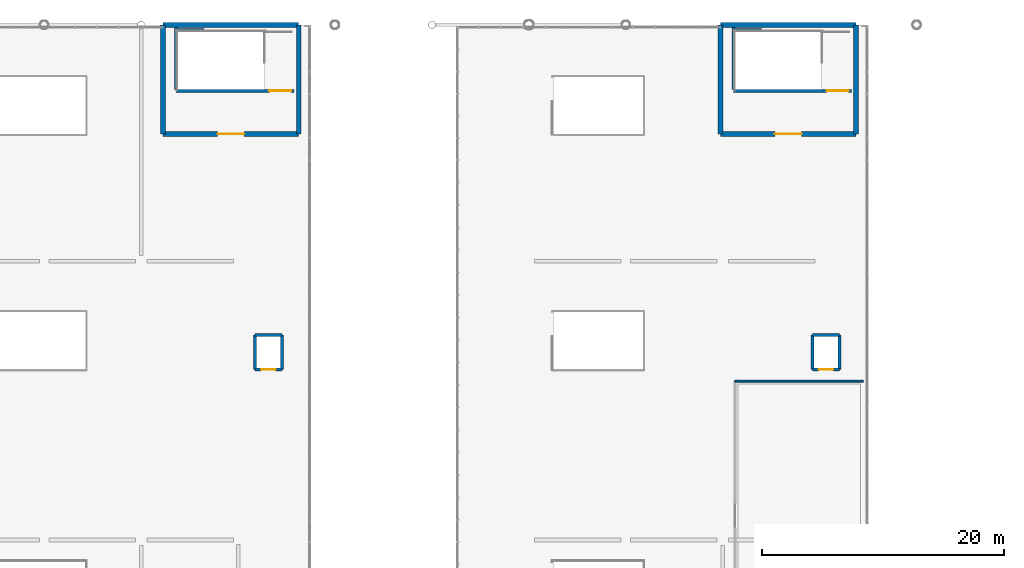
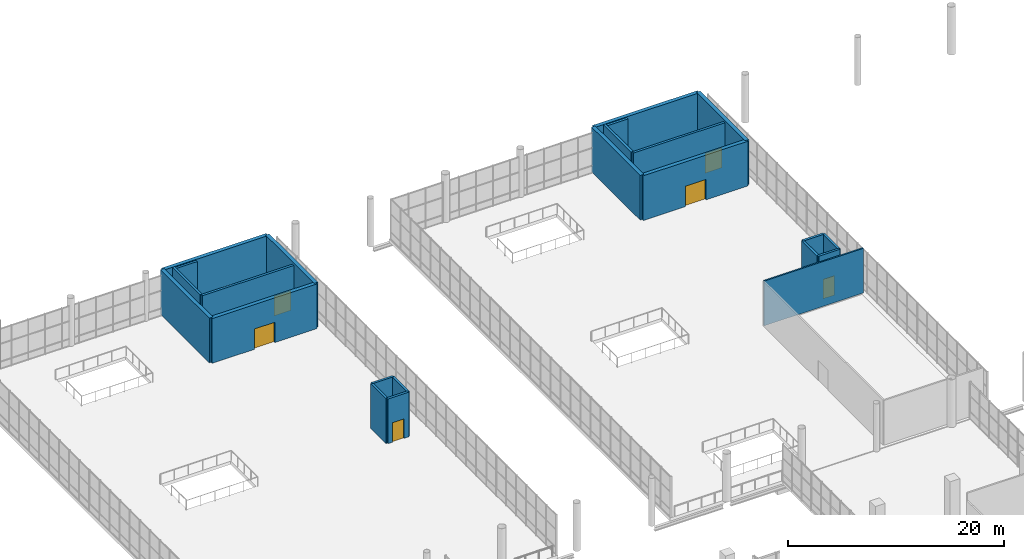
# One storey, part 149 of 176: 23 walls, 6 doors, 6 openings.
"""IFC4 building model written with IfcOpenShell, lengths in metres."""

from ifc_helpers import new_model, si_unit, direction, frame, frame_2d, origin, place, context, subcontext, project, spatial, rectangle, extrude, material, layer, layer_set, type_object, element, fill, save


model = new_model("IFC4")

# Units and contexts
model_context = context("Model", 3, precision=1e-05, world=origin(), true_north=direction((0.0, 1.0)))
body_context = subcontext(model_context, "Body", "Model", "MODEL_VIEW")
ifc_project = project(units=[si_unit("LENGTHUNIT", "METRE"), si_unit("AREAUNIT", "SQUARE_METRE"), si_unit("VOLUMEUNIT", "CUBIC_METRE"), si_unit("PLANEANGLEUNIT", "RADIAN"), si_unit("MASSUNIT", "GRAM", prefix="KILO")], contexts=[model_context])

# Site, building, storey
site_placement = place(None, origin())
site = spatial("IfcSite", under=ifc_project, at=site_placement, CompositionType="ELEMENT")
building_placement = place(site_placement, origin())
building = spatial("IfcBuilding", under=site, at=building_placement, Name="Khorjan Park Terminus", CompositionType="ELEMENT")
storey_placement = place(building_placement, frame((0.0, 0.0, 6.0)))
storey = spatial("IfcBuildingStorey", under=building, at=storey_placement, Name="L01", CompositionType="ELEMENT", Elevation=6.0)

# Walls
ifc_material_1 = material(Name="Concrete C50/60", Category="concrete")
ifc_layer_1 = layer(ifc_material_1, 0.4)
ifc_layer_set_1 = layer_set([ifc_layer_1], Name="Concrete C50/60")
wall_type_1 = type_object("IfcWallType", Name="CW-40", PredefinedType="SHEAR", material=ifc_layer_set_1)
wall_1_placement = place(storey_placement, frame((85.0, 154.0, 0.0), z_axis=(0.0, 0.0, 1.0), x_axis=(-1.0, 0.0, 0.0)))
element("IfcWall", 1, at=wall_1_placement, inside=storey, type_object=wall_type_1, Name="West Transfer Bridge Exit Core concrete shear wall CW-40 (L01-E1)", PredefinedType="SHEAR", context=body_context, shape_type="SweptSolid", body=[
    extrude(rectangle(XDim=11.2, YDim=0.4, at=frame_2d((5.6, 0.0))), origin(), (0.0, 0.0, 1.0), 5.05),
])
wall_2_placement = place(storey_placement, frame((73.8, 154.0, 0.0), z_axis=(0.0, 0.0, 1.0), x_axis=(0.0, -1.0, 0.0)))
element("IfcWall", 2, at=wall_2_placement, inside=storey, type_object=wall_type_1, Name="West Transfer Bridge Exit Core concrete shear wall CW-40 (L01-E2)", PredefinedType="SHEAR", context=body_context, shape_type="SweptSolid", body=[
    extrude(rectangle(XDim=9.0, YDim=0.4, at=frame_2d((4.5, 0.0))), origin(), (0.0, 0.0, 1.0), 5.05),
])

# Wall, opening, door
wall_3_placement = place(storey_placement, frame((73.8, 145.0, 0.0), z_axis=(0.0, 0.0, 1.0), x_axis=(1.0, 0.0, 0.0)))
wall_3 = element("IfcWall", 3, at=wall_3_placement, inside=storey, type_object=wall_type_1, Name="West Transfer Bridge Exit Core concrete shear wall CW-40 (L01-E3)", PredefinedType="SHEAR", context=body_context, shape_type="SweptSolid", body=[
    extrude(rectangle(XDim=11.2, YDim=0.4, at=frame_2d((5.6, 0.0))), origin(), (0.0, 0.0, 1.0), 5.05),
])
opening_1_placement = place(wall_3_placement, frame((4.5, 0.0, 0.0)))
opening_1 = element("IfcOpeningElement", 4, at=opening_1_placement, cuts=wall_3, Name="Opening FD-22", PredefinedType="OPENING", context=body_context, shape_type="SweptSolid", body=[
    extrude(rectangle(XDim=2.2, YDim=2.3, at=frame_2d((1.1, 1.15))), frame((0.0, 0.21, 0.0), z_axis=(0.0, -1.0, 0.0), x_axis=(1.0, 0.0, 0.0)), (0.0, 0.0, 1.0), 0.42),
])
ifc_material_2 = material(Name="Fire-Rated Steel Double Door", Category="steel")
door_type_1 = type_object("IfcDoorType", Name="FD-22", OperationType="NOTDEFINED", PredefinedType="DOOR", material=ifc_material_2)
door_1_placement = place(opening_1_placement, origin())
door_1 = element("IfcDoor", 5, at=door_1_placement, inside=storey, type_object=door_type_1, Name="West Transfer Bridge Exit Core fire-rated exit door FD-22 (L01)", OperationType="DOUBLE_DOOR_SINGLE_SWING", OverallHeight=2.3, OverallWidth=2.2, PredefinedType="DOOR", context=body_context, shape_type="SweptSolid", body=[
    extrude(rectangle(XDim=2.2, YDim=2.3, at=frame_2d((1.1, 1.15))), frame((0.0, 0.025, 0.0), z_axis=(0.0, -1.0, 0.0), x_axis=(1.0, 0.0, 0.0)), (0.0, 0.0, 1.0), 0.05),
])
fill(opening_1, door_1)

# Walls
wall_4_placement = place(storey_placement, frame((85.0, 145.0, 0.0), z_axis=(0.0, 0.0, 1.0), x_axis=(0.0, 1.0, 0.0)))
element("IfcWall", 6, at=wall_4_placement, inside=storey, type_object=wall_type_1, Name="West Transfer Bridge Exit Core concrete shear wall CW-40 (L01-E4)", PredefinedType="SHEAR", context=body_context, shape_type="SweptSolid", body=[
    extrude(rectangle(XDim=9.0, YDim=0.4, at=frame_2d((4.5, 0.0))), origin(), (0.0, 0.0, 1.0), 5.05),
])
wall_5_placement = place(storey_placement, frame((131.0, 154.0, 0.0), z_axis=(0.0, 0.0, 1.0), x_axis=(-1.0, 0.0, 0.0)))
element("IfcWall", 7, at=wall_5_placement, inside=storey, type_object=wall_type_1, Name="East Transfer Bridge Exit Core concrete shear wall CW-40 (L01-E1)", PredefinedType="SHEAR", context=body_context, shape_type="SweptSolid", body=[
    extrude(rectangle(XDim=11.2, YDim=0.4, at=frame_2d((5.6, 0.0))), origin(), (0.0, 0.0, 1.0), 5.05),
])
wall_6_placement = place(storey_placement, frame((119.8, 154.0, 0.0), z_axis=(0.0, 0.0, 1.0), x_axis=(0.0, -1.0, 0.0)))
element("IfcWall", 8, at=wall_6_placement, inside=storey, type_object=wall_type_1, Name="East Transfer Bridge Exit Core concrete shear wall CW-40 (L01-E2)", PredefinedType="SHEAR", context=body_context, shape_type="SweptSolid", body=[
    extrude(rectangle(XDim=9.0, YDim=0.4, at=frame_2d((4.5, 0.0))), origin(), (0.0, 0.0, 1.0), 5.05),
])

# Wall, opening, door
wall_7_placement = place(storey_placement, frame((119.8, 145.0, 0.0), z_axis=(0.0, 0.0, 1.0), x_axis=(1.0, 0.0, 0.0)))
wall_7 = element("IfcWall", 9, at=wall_7_placement, inside=storey, type_object=wall_type_1, Name="East Transfer Bridge Exit Core concrete shear wall CW-40 (L01-E3)", PredefinedType="SHEAR", context=body_context, shape_type="SweptSolid", body=[
    extrude(rectangle(XDim=11.2, YDim=0.4, at=frame_2d((5.6, 0.0))), origin(), (0.0, 0.0, 1.0), 5.05),
])
opening_2_placement = place(wall_7_placement, frame((4.5, 0.0, 0.0)))
opening_2 = element("IfcOpeningElement", 10, at=opening_2_placement, cuts=wall_7, Name="Opening FD-22", PredefinedType="OPENING", context=body_context, shape_type="SweptSolid", body=[
    extrude(rectangle(XDim=2.2, YDim=2.3, at=frame_2d((1.1, 1.15))), frame((0.0, 0.21, 0.0), z_axis=(0.0, -1.0, 0.0), x_axis=(1.0, 0.0, 0.0)), (0.0, 0.0, 1.0), 0.42),
])
door_2_placement = place(opening_2_placement, origin())
door_2 = element("IfcDoor", 11, at=door_2_placement, inside=storey, type_object=door_type_1, Name="East Transfer Bridge Exit Core fire-rated exit door FD-22 (L01)", OperationType="DOUBLE_DOOR_SINGLE_SWING", OverallHeight=2.3, OverallWidth=2.2, PredefinedType="DOOR", context=body_context, shape_type="SweptSolid", body=[
    extrude(rectangle(XDim=2.2, YDim=2.3, at=frame_2d((1.1, 1.15))), frame((0.0, 0.025, 0.0), z_axis=(0.0, -1.0, 0.0), x_axis=(1.0, 0.0, 0.0)), (0.0, 0.0, 1.0), 0.05),
])
fill(opening_2, door_2)

# Walls
wall_8_placement = place(storey_placement, frame((131.0, 145.0, 0.0), z_axis=(0.0, 0.0, 1.0), x_axis=(0.0, 1.0, 0.0)))
element("IfcWall", 12, at=wall_8_placement, inside=storey, type_object=wall_type_1, Name="East Transfer Bridge Exit Core concrete shear wall CW-40 (L01-E4)", PredefinedType="SHEAR", context=body_context, shape_type="SweptSolid", body=[
    extrude(rectangle(XDim=9.0, YDim=0.4, at=frame_2d((4.5, 0.0))), origin(), (0.0, 0.0, 1.0), 5.05),
])
ifc_material_3 = material(Name="Insulated Metal-Stud Acoustic Partition")
ifc_layer_2 = layer(ifc_material_3, 0.16)
ifc_layer_set_2 = layer_set([ifc_layer_2], Name="Insulated Metal-Stud Acoustic Partition")
wall_type_2 = type_object("IfcWallType", Name="PT-16", PredefinedType="PARTITIONING", material=ifc_layer_set_2)
wall_9_placement = place(storey_placement, frame((121.0, 124.6, 0.0), z_axis=(0.0, 0.0, 1.0), x_axis=(1.0, 0.0, 0.0)))
element("IfcWall", 13, at=wall_9_placement, inside=storey, type_object=wall_type_2, Name="Interior acoustic partition PT-16 (L01-GTL)", PredefinedType="PARTITIONING", context=body_context, shape_type="SweptSolid", body=[
    extrude(rectangle(XDim=10.6, YDim=0.16, at=frame_2d((5.3, 0.0))), origin(), (0.0, 0.0, 1.0), 5.05),
])

# Wall, opening, door
ifc_material_4 = material(Name="Concrete C40/50", Category="concrete")
ifc_layer_3 = layer(ifc_material_4, 0.25)
ifc_layer_set_3 = layer_set([ifc_layer_3], Name="Concrete C40/50")
wall_type_3 = type_object("IfcWallType", Name="SW-25", PredefinedType="SOLIDWALL", material=ifc_layer_set_3)
wall_10_placement = place(storey_placement, frame((81.38, 125.58, 0.0), z_axis=(0.0, 0.0, 1.0), x_axis=(1.0, 0.0, 0.0)))
wall_10 = element("IfcWall", 14, at=wall_10_placement, inside=storey, type_object=wall_type_3, Name="Lift L09 concrete shaft wall SW-25 (L01-1)", PredefinedType="SOLIDWALL", context=body_context, shape_type="SweptSolid", body=[
    extrude(rectangle(XDim=2.24, YDim=0.25, at=frame_2d((1.12, 0.0))), origin(), (0.0, 0.0, 1.0), 5.05),
])
opening_3_placement = place(wall_10_placement, frame((0.52, 0.0, 0.0)))
opening_3 = element("IfcOpeningElement", 15, at=opening_3_placement, cuts=wall_10, Name="Opening LD-12", PredefinedType="OPENING", context=body_context, shape_type="SweptSolid", body=[
    extrude(rectangle(XDim=1.2, YDim=2.2, at=frame_2d((0.6, 1.1))), frame((0.0, 0.135, 0.0), z_axis=(0.0, -1.0, 0.0), x_axis=(1.0, 0.0, 0.0)), (0.0, 0.0, 1.0), 0.27),
])
ifc_material_5 = material(Name="Stainless-Steel Lift Landing Sliding Door", Category="steel")
door_type_2 = type_object("IfcDoorType", Name="LD-12", OperationType="NOTDEFINED", PredefinedType="DOOR", material=ifc_material_5)
door_3_placement = place(opening_3_placement, origin())
door_3 = element("IfcDoor", 16, at=door_3_placement, inside=storey, type_object=door_type_2, Name="Lift L09 sliding landing door LD-12 (L01)", OperationType="SLIDING_TO_LEFT", OverallHeight=2.2, OverallWidth=1.2, PredefinedType="DOOR", context=body_context, shape_type="SweptSolid", body=[
    extrude(rectangle(XDim=1.2, YDim=2.2, at=frame_2d((0.6, 1.1))), frame((0.0, 0.025, 0.0), z_axis=(0.0, -1.0, 0.0), x_axis=(1.0, 0.0, 0.0)), (0.0, 0.0, 1.0), 0.05),
])
fill(opening_3, door_3)

# Walls
wall_11_placement = place(storey_placement, frame((83.62, 125.58, 0.0), z_axis=(0.0, 0.0, 1.0), x_axis=(0.0, 1.0, 0.0)))
element("IfcWall", 17, at=wall_11_placement, inside=storey, type_object=wall_type_3, Name="Lift L09 concrete shaft wall SW-25 (L01-2)", PredefinedType="SOLIDWALL", context=body_context, shape_type="SweptSolid", body=[
    extrude(rectangle(XDim=2.84, YDim=0.25, at=frame_2d((1.42, 0.0))), origin(), (0.0, 0.0, 1.0), 5.05),
])
wall_12_placement = place(storey_placement, frame((83.62, 128.42, 0.0), z_axis=(0.0, 0.0, 1.0), x_axis=(-1.0, 0.0, 0.0)))
element("IfcWall", 18, at=wall_12_placement, inside=storey, type_object=wall_type_3, Name="Lift L09 concrete shaft wall SW-25 (L01-3)", PredefinedType="SOLIDWALL", context=body_context, shape_type="SweptSolid", body=[
    extrude(rectangle(XDim=2.24, YDim=0.25, at=frame_2d((1.12, 0.0))), origin(), (0.0, 0.0, 1.0), 5.05),
])
wall_13_placement = place(storey_placement, frame((81.38, 128.42, 0.0), z_axis=(0.0, 0.0, 1.0), x_axis=(0.0, -1.0, 0.0)))
element("IfcWall", 19, at=wall_13_placement, inside=storey, type_object=wall_type_3, Name="Lift L09 concrete shaft wall SW-25 (L01-4)", PredefinedType="SOLIDWALL", context=body_context, shape_type="SweptSolid", body=[
    extrude(rectangle(XDim=2.84, YDim=0.25, at=frame_2d((1.42, 0.0))), origin(), (0.0, 0.0, 1.0), 5.05),
])

# Wall, opening, door
wall_14_placement = place(storey_placement, frame((127.38, 125.58, 0.0), z_axis=(0.0, 0.0, 1.0), x_axis=(1.0, 0.0, 0.0)))
wall_14 = element("IfcWall", 20, at=wall_14_placement, inside=storey, type_object=wall_type_3, Name="Lift L10 concrete shaft wall SW-25 (L01-1)", PredefinedType="SOLIDWALL", context=body_context, shape_type="SweptSolid", body=[
    extrude(rectangle(XDim=2.24, YDim=0.25, at=frame_2d((1.12, 0.0))), origin(), (0.0, 0.0, 1.0), 5.05),
])
opening_4_placement = place(wall_14_placement, frame((0.52, 0.0, 0.0)))
opening_4 = element("IfcOpeningElement", 21, at=opening_4_placement, cuts=wall_14, Name="Opening LD-12", PredefinedType="OPENING", context=body_context, shape_type="SweptSolid", body=[
    extrude(rectangle(XDim=1.2, YDim=2.2, at=frame_2d((0.6, 1.1))), frame((0.0, 0.135, 0.0), z_axis=(0.0, -1.0, 0.0), x_axis=(1.0, 0.0, 0.0)), (0.0, 0.0, 1.0), 0.27),
])
door_4_placement = place(opening_4_placement, origin())
door_4 = element("IfcDoor", 22, at=door_4_placement, inside=storey, type_object=door_type_2, Name="Lift L10 sliding landing door LD-12 (L01)", OperationType="SLIDING_TO_RIGHT", OverallHeight=2.2, OverallWidth=1.2, PredefinedType="DOOR", context=body_context, shape_type="SweptSolid", body=[
    extrude(rectangle(XDim=1.2, YDim=2.2, at=frame_2d((0.6, 1.1))), frame((0.0, 0.025, 0.0), z_axis=(0.0, -1.0, 0.0), x_axis=(1.0, 0.0, 0.0)), (0.0, 0.0, 1.0), 0.05),
])
fill(opening_4, door_4)

# Walls
wall_15_placement = place(storey_placement, frame((129.62, 125.58, 0.0), z_axis=(0.0, 0.0, 1.0), x_axis=(0.0, 1.0, 0.0)))
element("IfcWall", 23, at=wall_15_placement, inside=storey, type_object=wall_type_3, Name="Lift L10 concrete shaft wall SW-25 (L01-2)", PredefinedType="SOLIDWALL", context=body_context, shape_type="SweptSolid", body=[
    extrude(rectangle(XDim=2.84, YDim=0.25, at=frame_2d((1.42, 0.0))), origin(), (0.0, 0.0, 1.0), 5.05),
])
wall_16_placement = place(storey_placement, frame((129.62, 128.42, 0.0), z_axis=(0.0, 0.0, 1.0), x_axis=(-1.0, 0.0, 0.0)))
element("IfcWall", 24, at=wall_16_placement, inside=storey, type_object=wall_type_3, Name="Lift L10 concrete shaft wall SW-25 (L01-3)", PredefinedType="SOLIDWALL", context=body_context, shape_type="SweptSolid", body=[
    extrude(rectangle(XDim=2.24, YDim=0.25, at=frame_2d((1.12, 0.0))), origin(), (0.0, 0.0, 1.0), 5.05),
])
wall_17_placement = place(storey_placement, frame((127.38, 128.42, 0.0), z_axis=(0.0, 0.0, 1.0), x_axis=(0.0, -1.0, 0.0)))
element("IfcWall", 25, at=wall_17_placement, inside=storey, type_object=wall_type_3, Name="Lift L10 concrete shaft wall SW-25 (L01-4)", PredefinedType="SOLIDWALL", context=body_context, shape_type="SweptSolid", body=[
    extrude(rectangle(XDim=2.84, YDim=0.25, at=frame_2d((1.42, 0.0))), origin(), (0.0, 0.0, 1.0), 5.05),
])

# Wall, opening, door
wall_18_placement = place(storey_placement, frame((84.62, 148.565, 0.0), z_axis=(0.0, 0.0, 1.0), x_axis=(-1.0, 0.0, 0.0)))
wall_18 = element("IfcWall", 26, at=wall_18_placement, inside=storey, type_object=wall_type_3, Name="West Transfer Bridge Exit Core structural stairwell wall SW-25 (L01)", PredefinedType="SOLIDWALL", context=body_context, shape_type="SweptSolid", body=[
    extrude(rectangle(XDim=9.745, YDim=0.25, at=frame_2d((4.8725, 0.0))), origin(), (0.0, 0.0, 1.0), 5.05),
])
opening_5_placement = place(wall_18_placement, frame((0.25, 0.0, 0.0)))
opening_5 = element("IfcOpeningElement", 27, at=opening_5_placement, cuts=wall_18, Name="Opening FD-18", PredefinedType="OPENING", context=body_context, shape_type="SweptSolid", body=[
    extrude(rectangle(XDim=1.8, YDim=2.25, at=frame_2d((0.9, 1.125))), frame((0.0, 0.135, 0.0), z_axis=(0.0, -1.0, 0.0), x_axis=(1.0, 0.0, 0.0)), (0.0, 0.0, 1.0), 0.27),
])
door_type_3 = type_object("IfcDoorType", Name="FD-18", OperationType="NOTDEFINED", PredefinedType="DOOR", material=ifc_material_2)
door_5_placement = place(opening_5_placement, origin())
door_5 = element("IfcDoor", 28, at=door_5_placement, inside=storey, type_object=door_type_3, Name="West Transfer Bridge Exit Core stairwell fire door FD-18 (L01)", OperationType="DOUBLE_DOOR_SINGLE_SWING", OverallHeight=2.25, OverallWidth=1.8, PredefinedType="DOOR", context=body_context, shape_type="SweptSolid", body=[
    extrude(rectangle(XDim=1.8, YDim=2.25, at=frame_2d((0.9, 1.125))), frame((0.0, 0.025, 0.0), z_axis=(0.0, -1.0, 0.0), x_axis=(1.0, 0.0, 0.0)), (0.0, 0.0, 1.0), 0.05),
])
fill(opening_5, door_5)

# Walls
wall_19_placement = place(storey_placement, frame((74.875, 153.8, 0.0), z_axis=(0.0, 0.0, 1.0), x_axis=(0.0, -1.0, 0.0)))
element("IfcWall", 29, at=wall_19_placement, inside=storey, type_object=wall_type_3, Name="West Transfer Bridge Exit Core stairwell end bearing wall SW-25 (L01)", PredefinedType="SOLIDWALL", context=body_context, shape_type="SweptSolid", body=[
    extrude(rectangle(XDim=5.11, YDim=0.25, at=frame_2d((2.555, 0.0))), origin(), (0.0, 0.0, 1.0), 5.05),
])
wall_20_placement = place(storey_placement, frame((77.2, 153.575, 0.0), z_axis=(0.0, 0.0, 1.0), x_axis=(-1.0, 0.0, 0.0)))
element("IfcWall", 30, at=wall_20_placement, inside=storey, type_object=wall_type_3, Name="West Transfer Bridge Exit Core half-landing bearing wall SW-25 (L01)", PredefinedType="SOLIDWALL", context=body_context, shape_type="SweptSolid", body=[
    extrude(rectangle(XDim=2.2, YDim=0.25, at=frame_2d((1.1, 0.0))), origin(), (0.0, 0.0, 1.0), 5.05),
])

# Wall, opening, door
wall_21_placement = place(storey_placement, frame((130.62, 148.565, 0.0), z_axis=(0.0, 0.0, 1.0), x_axis=(-1.0, 0.0, 0.0)))
wall_21 = element("IfcWall", 31, at=wall_21_placement, inside=storey, type_object=wall_type_3, Name="East Transfer Bridge Exit Core structural stairwell wall SW-25 (L01)", PredefinedType="SOLIDWALL", context=body_context, shape_type="SweptSolid", body=[
    extrude(rectangle(XDim=9.745, YDim=0.25, at=frame_2d((4.8725, 0.0))), origin(), (0.0, 0.0, 1.0), 5.05),
])
opening_6_placement = place(wall_21_placement, frame((0.25, 0.0, 0.0)))
opening_6 = element("IfcOpeningElement", 32, at=opening_6_placement, cuts=wall_21, Name="Opening FD-18", PredefinedType="OPENING", context=body_context, shape_type="SweptSolid", body=[
    extrude(rectangle(XDim=1.8, YDim=2.25, at=frame_2d((0.9, 1.125))), frame((0.0, 0.135, 0.0), z_axis=(0.0, -1.0, 0.0), x_axis=(1.0, 0.0, 0.0)), (0.0, 0.0, 1.0), 0.27),
])
door_6_placement = place(opening_6_placement, origin())
door_6 = element("IfcDoor", 33, at=door_6_placement, inside=storey, type_object=door_type_3, Name="East Transfer Bridge Exit Core stairwell fire door FD-18 (L01)", OperationType="DOUBLE_DOOR_SINGLE_SWING", OverallHeight=2.25, OverallWidth=1.8, PredefinedType="DOOR", context=body_context, shape_type="SweptSolid", body=[
    extrude(rectangle(XDim=1.8, YDim=2.25, at=frame_2d((0.9, 1.125))), frame((0.0, 0.025, 0.0), z_axis=(0.0, -1.0, 0.0), x_axis=(1.0, 0.0, 0.0)), (0.0, 0.0, 1.0), 0.05),
])
fill(opening_6, door_6)

# Walls
wall_22_placement = place(storey_placement, frame((120.875, 153.8, 0.0), z_axis=(0.0, 0.0, 1.0), x_axis=(0.0, -1.0, 0.0)))
element("IfcWall", 34, at=wall_22_placement, inside=storey, type_object=wall_type_3, Name="East Transfer Bridge Exit Core stairwell end bearing wall SW-25 (L01)", PredefinedType="SOLIDWALL", context=body_context, shape_type="SweptSolid", body=[
    extrude(rectangle(XDim=5.11, YDim=0.25, at=frame_2d((2.555, 0.0))), origin(), (0.0, 0.0, 1.0), 5.05),
])
wall_23_placement = place(storey_placement, frame((123.2, 153.575, 0.0), z_axis=(0.0, 0.0, 1.0), x_axis=(-1.0, 0.0, 0.0)))
element("IfcWall", 35, at=wall_23_placement, inside=storey, type_object=wall_type_3, Name="East Transfer Bridge Exit Core half-landing bearing wall SW-25 (L01)", PredefinedType="SOLIDWALL", context=body_context, shape_type="SweptSolid", body=[
    extrude(rectangle(XDim=2.2, YDim=0.25, at=frame_2d((1.1, 0.0))), origin(), (0.0, 0.0, 1.0), 5.05),
])

save(model, "model.ifc")
